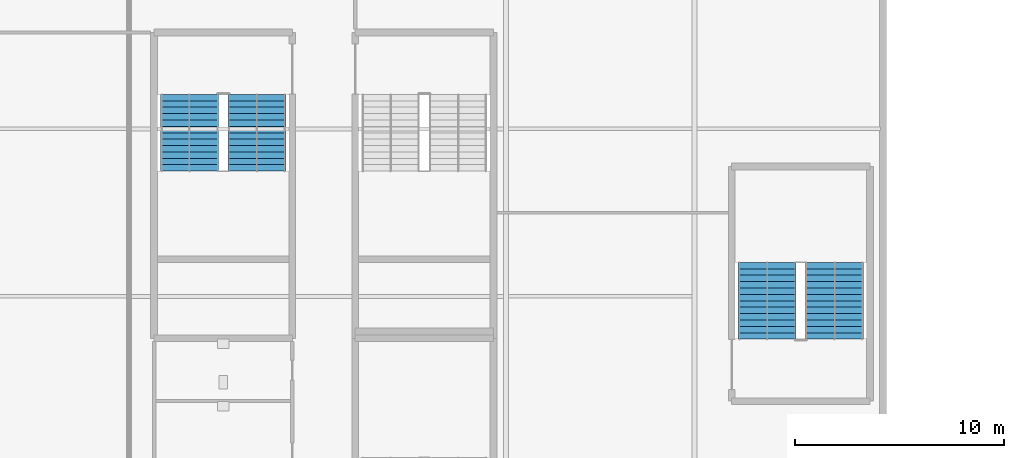
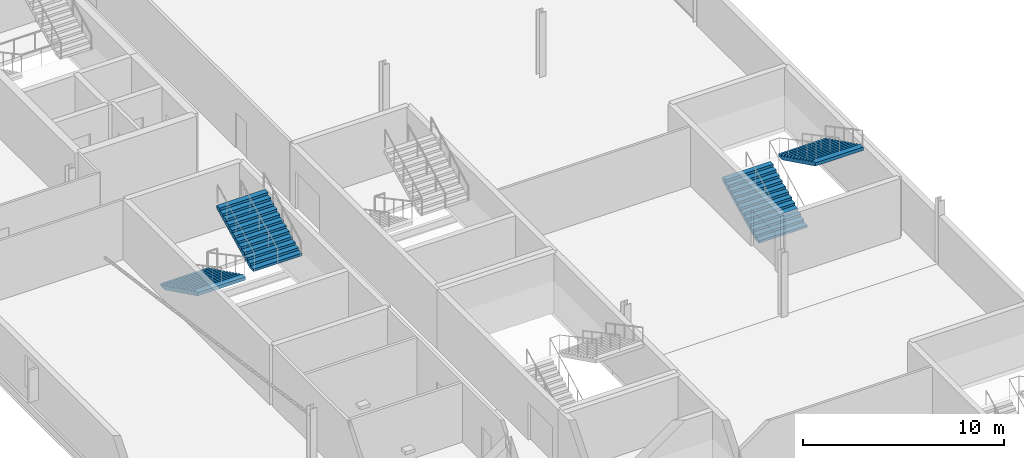
# One storey, part 84 of 98: 4 stair flights, 2 elements without a shape of their own.
"""IFC4 building model written with IfcOpenShell, lengths in metres."""

from ifc_helpers import new_model, si_unit, direction, frame, origin, place, context, subcontext, project, spatial, polygons, material, type_object, element, aggregate, save


model = new_model("IFC4")

# Units and contexts
model_context = context("Model", 3, precision=1e-05, world=origin(), true_north=direction((0.0, 1.0)))
body_context = subcontext(model_context, "Body", "Model", "MODEL_VIEW")
ifc_project = project(units=[si_unit("LENGTHUNIT", "METRE"), si_unit("AREAUNIT", "SQUARE_METRE"), si_unit("VOLUMEUNIT", "CUBIC_METRE"), si_unit("PLANEANGLEUNIT", "RADIAN"), si_unit("MASSUNIT", "GRAM", prefix="KILO")], contexts=[model_context])

# Site, building, storey
site_placement = place(None, origin())
site = spatial("IfcSite", under=ifc_project, at=site_placement, CompositionType="ELEMENT")
building_placement = place(site_placement, origin())
building = spatial("IfcBuilding", under=site, at=building_placement, Name="Kisiwana Market Hall", CompositionType="ELEMENT")
storey_placement = place(building_placement, frame((0.0, 0.0, 29.39990234375)))
storey = spatial("IfcBuildingStorey", under=building, at=storey_placement, Name="L06", CompositionType="ELEMENT", Elevation=29.39990234375)

# Stair, stair flights
ifc_material_1 = material(Name="Concrete C32/40", Category="concrete")
stair_type = type_object("IfcStairType", Name="ST-ESC-3900", PredefinedType="TWO_STRAIGHT_RUN_STAIR", material=ifc_material_1)
stair_1_placement = place(storey_placement, origin())
stair_1 = element("IfcStair", 1, at=stair_1_placement, inside=storey, type_object=stair_type, Name="Escape stair ST-W4-L06", PredefinedType="TWO_STRAIGHT_RUN_STAIR")
ifc_material_2 = material(Name="Concrete C32/40", Category="concrete")
stair_flight_type = type_object("IfcStairFlightType", Name="SF-ESC-3900", PredefinedType="STRAIGHT", material=ifc_material_2)
stair_flight_1_placement = place(storey_placement, frame((11.889892578125, 77.639892578125, 0.0), z_axis=(0.0, 0.0, 1.0), x_axis=(0.0, -1.0, 0.0)))
stair_flight_1 = element("IfcStairFlight", 2, at=stair_flight_1_placement, type_object=stair_flight_type, Name="ST-W4-L06 flight 1", NumberOfRisers=13, NumberOfTreads=12, PredefinedType="STRAIGHT", RiserHeight=0.15, TreadLength=0.305, context=body_context, shape_type="Tessellation", body=[
    polygons([(0.0, -1.380127, 0.0), (0.0, -0.690125, 0.0), (0.0, -0.000122, 0.0), (0.0, 0.68988, 0.0), (0.0, 1.379883, 0.0), (0.0, -1.380127, 0.149902), (0.0, -0.690125, 0.149902), (0.0, -0.000122, 0.149902), (0.0, 0.68988, 0.149902), (0.0, 1.379883, 0.149902), (0.304932, -1.380127, 0.149902), (0.304932, -0.690125, 0.149902), (0.304932, -0.000122, 0.149902), (0.304932, 0.68988, 0.149902), (0.304932, 1.379883, 0.149902), (0.304932, -1.380127, 0.300049), (0.304932, -0.690125, 0.300049), (0.304932, -0.000122, 0.300049), (0.304932, 0.68988, 0.300049), (0.304932, 1.379883, 0.300049), (0.610107, -1.380127, 0.300049), (0.610107, -0.690125, 0.300049), (0.610107, -0.000122, 0.300049), (0.610107, 0.68988, 0.300049), (0.610107, 1.379883, 0.300049), (0.610107, -1.380127, 0.449951), (0.610107, -0.690125, 0.449951), (0.610107, -0.000122, 0.449951), (0.610107, 0.68988, 0.449951), (0.610107, 1.379883, 0.449951), (0.915039, -1.380127, 0.449951), (0.915039, -0.690125, 0.449951), (0.915039, -0.000122, 0.449951), (0.915039, 0.68988, 0.449951), (0.915039, 1.379883, 0.449951), (0.915039, -1.380127, 0.600098), (0.915039, -0.690125, 0.600098), (0.915039, -0.000122, 0.600098), (0.915039, 0.68988, 0.600098), (0.915039, 1.379883, 0.600098), (1.219971, -1.380127, 0.600098), (1.219971, -0.690125, 0.600098), (1.219971, -0.000122, 0.600098), (1.219971, 0.68988, 0.600098), (1.219971, 1.379883, 0.600098), (1.219971, -1.380127, 0.75), (1.219971, -0.690125, 0.75), (1.219971, -0.000122, 0.75), (1.219971, 0.68988, 0.75), (1.219971, 1.379883, 0.75), (1.524902, -1.380127, 0.75), (1.524902, -0.690125, 0.75), (1.524902, -0.000122, 0.75), (1.524902, 0.68988, 0.75), (1.524902, 1.379883, 0.75), (1.524902, -1.380127, 0.899902), (1.524902, -0.690125, 0.899902), (1.524902, -0.000122, 0.899902), (1.524902, 0.68988, 0.899902), (1.524902, 1.379883, 0.899902), (1.830078, -1.380127, 0.899902), (1.830078, -0.690125, 0.899902), (1.830078, -0.000122, 0.899902), (1.830078, 0.68988, 0.899902), (1.830078, 1.379883, 0.899902), (1.830078, -1.380127, 1.050049), (1.830078, -0.690125, 1.050049), (1.830078, -0.000122, 1.050049), (1.830078, 0.68988, 1.050049), (1.830078, 1.379883, 1.050049), (2.13501, -1.380127, 1.050049), (2.13501, -0.690125, 1.050049), (2.13501, -0.000122, 1.050049), (2.13501, 0.68988, 1.050049), (2.13501, 1.379883, 1.050049), (2.13501, -1.380127, 1.199951), (2.13501, -0.690125, 1.199951), (2.13501, -0.000122, 1.199951), (2.13501, 0.68988, 1.199951), (2.13501, 1.379883, 1.199951), (2.439941, -1.380127, 1.199951), (2.439941, -0.690125, 1.199951), (2.439941, -0.000122, 1.199951), (2.439941, 0.68988, 1.199951), (2.439941, 1.379883, 1.199951), (2.439941, -1.380127, 1.350098), (2.439941, -0.690125, 1.350098), (2.439941, -0.000122, 1.350098), (2.439941, 0.68988, 1.350098), (2.439941, 1.379883, 1.350098), (2.745117, -1.380127, 1.350098), (2.745117, -0.690125, 1.350098), (2.745117, -0.000122, 1.350098), (2.745117, 0.68988, 1.350098), (2.745117, 1.379883, 1.350098), (2.745117, -1.380127, 1.5), (2.745117, -0.690125, 1.5), (2.745117, -0.000122, 1.5), (2.745117, 0.68988, 1.5), (2.745117, 1.379883, 1.5), (3.050049, -1.380127, 1.5), (3.050049, -0.690125, 1.5), (3.050049, -0.000122, 1.5), (3.050049, 0.68988, 1.5), (3.050049, 1.379883, 1.5), (3.050049, -1.380127, 1.649902), (3.050049, -0.690125, 1.649902), (3.050049, -0.000122, 1.649902), (3.050049, 0.68988, 1.649902), (3.050049, 1.379883, 1.649902), (3.35498, -1.380127, 1.649902), (3.35498, -0.690125, 1.649902), (3.35498, -0.000122, 1.649902), (3.35498, 0.68988, 1.649902), (3.35498, 1.379883, 1.649902), (3.35498, -1.380127, 1.800049), (3.35498, -0.690125, 1.800049), (3.35498, -0.000122, 1.800049), (3.35498, 0.68988, 1.800049), (3.35498, 1.379883, 1.800049), (3.659912, -1.380127, 1.800049), (3.659912, -0.690125, 1.800049), (3.659912, -0.000122, 1.800049), (3.659912, 0.68988, 1.800049), (3.659912, 1.379883, 1.800049), (3.659912, -1.380127, 1.599365), (3.659912, -0.690125, 1.599365), (3.659912, -0.000122, 1.599365), (3.659912, 0.68988, 1.599365), (3.659912, 1.379883, 1.599365), (0.407715, -1.380127, 0.0), (0.407715, -0.690125, 0.0), (0.407715, -0.000122, 0.0), (0.407715, 0.68988, 0.0), (0.407715, 1.379883, 0.0)], [[[1, 6, 7, 2]], [[2, 7, 8, 3]], [[3, 8, 9, 4]], [[4, 9, 10, 5]], [[6, 11, 12, 7]], [[7, 12, 13, 8]], [[8, 13, 14, 9]], [[9, 14, 15, 10]], [[11, 16, 17, 12]], [[12, 17, 18, 13]], [[13, 18, 19, 14]], [[14, 19, 20, 15]], [[16, 21, 22, 17]], [[17, 22, 23, 18]], [[18, 23, 24, 19]], [[19, 24, 25, 20]], [[21, 26, 27, 22]], [[22, 27, 28, 23]], [[23, 28, 29, 24]], [[24, 29, 30, 25]], [[26, 31, 32, 27]], [[27, 32, 33, 28]], [[28, 33, 34, 29]], [[29, 34, 35, 30]], [[31, 36, 37, 32]], [[32, 37, 38, 33]], [[33, 38, 39, 34]], [[34, 39, 40, 35]], [[36, 41, 42, 37]], [[37, 42, 43, 38]], [[38, 43, 44, 39]], [[39, 44, 45, 40]], [[41, 46, 47, 42]], [[42, 47, 48, 43]], [[43, 48, 49, 44]], [[44, 49, 50, 45]], [[46, 51, 52, 47]], [[47, 52, 53, 48]], [[48, 53, 54, 49]], [[49, 54, 55, 50]], [[51, 56, 57, 52]], [[52, 57, 58, 53]], [[53, 58, 59, 54]], [[54, 59, 60, 55]], [[56, 61, 62, 57]], [[57, 62, 63, 58]], [[58, 63, 64, 59]], [[59, 64, 65, 60]], [[61, 66, 67, 62]], [[62, 67, 68, 63]], [[63, 68, 69, 64]], [[64, 69, 70, 65]], [[66, 71, 72, 67]], [[67, 72, 73, 68]], [[68, 73, 74, 69]], [[69, 74, 75, 70]], [[71, 76, 77, 72]], [[72, 77, 78, 73]], [[73, 78, 79, 74]], [[74, 79, 80, 75]], [[76, 81, 82, 77]], [[77, 82, 83, 78]], [[78, 83, 84, 79]], [[79, 84, 85, 80]], [[81, 86, 87, 82]], [[82, 87, 88, 83]], [[83, 88, 89, 84]], [[84, 89, 90, 85]], [[86, 91, 92, 87]], [[87, 92, 93, 88]], [[88, 93, 94, 89]], [[89, 94, 95, 90]], [[91, 96, 97, 92]], [[92, 97, 98, 93]], [[93, 98, 99, 94]], [[94, 99, 100, 95]], [[96, 101, 102, 97]], [[97, 102, 103, 98]], [[98, 103, 104, 99]], [[99, 104, 105, 100]], [[101, 106, 107, 102]], [[102, 107, 108, 103]], [[103, 108, 109, 104]], [[104, 109, 110, 105]], [[106, 111, 112, 107]], [[107, 112, 113, 108]], [[108, 113, 114, 109]], [[109, 114, 115, 110]], [[111, 116, 117, 112]], [[112, 117, 118, 113]], [[113, 118, 119, 114]], [[114, 119, 120, 115]], [[116, 121, 122, 117]], [[117, 122, 123, 118]], [[118, 123, 124, 119]], [[119, 124, 125, 120]], [[121, 126, 127, 122]], [[122, 127, 128, 123]], [[123, 128, 129, 124]], [[124, 129, 130, 125]], [[126, 131, 132, 127]], [[127, 132, 133, 128]], [[128, 133, 134, 129]], [[129, 134, 135, 130]], [[131, 1, 2, 132]], [[132, 2, 3, 133]], [[133, 3, 4, 134]], [[134, 4, 5, 135]], [[131, 126, 121, 116, 111, 106, 101, 96, 91, 86, 81, 76, 71, 66, 61, 56, 51, 46, 41, 36, 31, 26, 21, 16, 11, 6, 1]], [[5, 10, 15, 20, 25, 30, 35, 40, 45, 50, 55, 60, 65, 70, 75, 80, 85, 90, 95, 100, 105, 110, 115, 120, 125, 130, 135]]], closed=True),
])
stair_flight_2_placement = place(storey_placement, frame((15.110107421875, 73.97998046875, 1.9501953125), z_axis=(0.0, 0.0, 1.0), x_axis=(0.0, 1.0, 0.0)))
stair_flight_2 = element("IfcStairFlight", 3, at=stair_flight_2_placement, type_object=stair_flight_type, Name="ST-W4-L06 flight 2", NumberOfRisers=13, NumberOfTreads=12, PredefinedType="STRAIGHT", RiserHeight=0.15, TreadLength=0.305, context=body_context, shape_type="Tessellation", body=[
    polygons([(0.0, -1.380127, 0.0), (0.0, -0.690125, 0.0), (0.0, -0.000122, 0.0), (0.0, 0.68988, 0.0), (0.0, 1.379883, 0.0), (0.0, -1.380127, 0.149902), (0.0, -0.690125, 0.149902), (0.0, -0.000122, 0.149902), (0.0, 0.68988, 0.149902), (0.0, 1.379883, 0.149902), (0.304932, -1.380127, 0.149902), (0.304932, -0.690125, 0.149902), (0.304932, -0.000122, 0.149902), (0.304932, 0.68988, 0.149902), (0.304932, 1.379883, 0.149902), (0.304932, -1.380127, 0.300049), (0.304932, -0.690125, 0.300049), (0.304932, -0.000122, 0.300049), (0.304932, 0.68988, 0.300049), (0.304932, 1.379883, 0.300049), (0.610107, -1.380127, 0.300049), (0.610107, -0.690125, 0.300049), (0.610107, -0.000122, 0.300049), (0.610107, 0.68988, 0.300049), (0.610107, 1.379883, 0.300049), (0.610107, -1.380127, 0.449951), (0.610107, -0.690125, 0.449951), (0.610107, -0.000122, 0.449951), (0.610107, 0.68988, 0.449951), (0.610107, 1.379883, 0.449951), (0.915039, -1.380127, 0.449951), (0.915039, -0.690125, 0.449951), (0.915039, -0.000122, 0.449951), (0.915039, 0.68988, 0.449951), (0.915039, 1.379883, 0.449951), (0.915039, -1.380127, 0.600098), (0.915039, -0.690125, 0.600098), (0.915039, -0.000122, 0.600098), (0.915039, 0.68988, 0.600098), (0.915039, 1.379883, 0.600098), (1.219971, -1.380127, 0.600098), (1.219971, -0.690125, 0.600098), (1.219971, -0.000122, 0.600098), (1.219971, 0.68988, 0.600098), (1.219971, 1.379883, 0.600098), (1.219971, -1.380127, 0.75), (1.219971, -0.690125, 0.75), (1.219971, -0.000122, 0.75), (1.219971, 0.68988, 0.75), (1.219971, 1.379883, 0.75), (1.524902, -1.380127, 0.75), (1.524902, -0.690125, 0.75), (1.524902, -0.000122, 0.75), (1.524902, 0.68988, 0.75), (1.524902, 1.379883, 0.75), (1.524902, -1.380127, 0.899902), (1.524902, -0.690125, 0.899902), (1.524902, -0.000122, 0.899902), (1.524902, 0.68988, 0.899902), (1.524902, 1.379883, 0.899902), (1.830078, -1.380127, 0.899902), (1.830078, -0.690125, 0.899902), (1.830078, -0.000122, 0.899902), (1.830078, 0.68988, 0.899902), (1.830078, 1.379883, 0.899902), (1.830078, -1.380127, 1.050049), (1.830078, -0.690125, 1.050049), (1.830078, -0.000122, 1.050049), (1.830078, 0.68988, 1.050049), (1.830078, 1.379883, 1.050049), (2.13501, -1.380127, 1.050049), (2.13501, -0.690125, 1.050049), (2.13501, -0.000122, 1.050049), (2.13501, 0.68988, 1.050049), (2.13501, 1.379883, 1.050049), (2.13501, -1.380127, 1.199951), (2.13501, -0.690125, 1.199951), (2.13501, -0.000122, 1.199951), (2.13501, 0.68988, 1.199951), (2.13501, 1.379883, 1.199951), (2.439941, -1.380127, 1.199951), (2.439941, -0.690125, 1.199951), (2.439941, -0.000122, 1.199951), (2.439941, 0.68988, 1.199951), (2.439941, 1.379883, 1.199951), (2.439941, -1.380127, 1.350098), (2.439941, -0.690125, 1.350098), (2.439941, -0.000122, 1.350098), (2.439941, 0.68988, 1.350098), (2.439941, 1.379883, 1.350098), (2.745117, -1.380127, 1.350098), (2.745117, -0.690125, 1.350098), (2.745117, -0.000122, 1.350098), (2.745117, 0.68988, 1.350098), (2.745117, 1.379883, 1.350098), (2.745117, -1.380127, 1.5), (2.745117, -0.690125, 1.5), (2.745117, -0.000122, 1.5), (2.745117, 0.68988, 1.5), (2.745117, 1.379883, 1.5), (3.050049, -1.380127, 1.5), (3.050049, -0.690125, 1.5), (3.050049, -0.000122, 1.5), (3.050049, 0.68988, 1.5), (3.050049, 1.379883, 1.5), (3.050049, -1.380127, 1.649902), (3.050049, -0.690125, 1.649902), (3.050049, -0.000122, 1.649902), (3.050049, 0.68988, 1.649902), (3.050049, 1.379883, 1.649902), (3.35498, -1.380127, 1.649902), (3.35498, -0.690125, 1.649902), (3.35498, -0.000122, 1.649902), (3.35498, 0.68988, 1.649902), (3.35498, 1.379883, 1.649902), (3.35498, -1.380127, 1.800049), (3.35498, -0.690125, 1.800049), (3.35498, -0.000122, 1.800049), (3.35498, 0.68988, 1.800049), (3.35498, 1.379883, 1.800049), (3.659912, -1.380127, 1.800049), (3.659912, -0.690125, 1.800049), (3.659912, -0.000122, 1.800049), (3.659912, 0.68988, 1.800049), (3.659912, 1.379883, 1.800049), (3.659912, -1.380127, 1.599365), (3.659912, -0.690125, 1.599365), (3.659912, -0.000122, 1.599365), (3.659912, 0.68988, 1.599365), (3.659912, 1.379883, 1.599365), (0.407715, -1.380127, 0.0), (0.407715, -0.690125, 0.0), (0.407715, -0.000122, 0.0), (0.407715, 0.68988, 0.0), (0.407715, 1.379883, 0.0)], [[[1, 6, 7, 2]], [[2, 7, 8, 3]], [[3, 8, 9, 4]], [[4, 9, 10, 5]], [[6, 11, 12, 7]], [[7, 12, 13, 8]], [[8, 13, 14, 9]], [[9, 14, 15, 10]], [[11, 16, 17, 12]], [[12, 17, 18, 13]], [[13, 18, 19, 14]], [[14, 19, 20, 15]], [[16, 21, 22, 17]], [[17, 22, 23, 18]], [[18, 23, 24, 19]], [[19, 24, 25, 20]], [[21, 26, 27, 22]], [[22, 27, 28, 23]], [[23, 28, 29, 24]], [[24, 29, 30, 25]], [[26, 31, 32, 27]], [[27, 32, 33, 28]], [[28, 33, 34, 29]], [[29, 34, 35, 30]], [[31, 36, 37, 32]], [[32, 37, 38, 33]], [[33, 38, 39, 34]], [[34, 39, 40, 35]], [[36, 41, 42, 37]], [[37, 42, 43, 38]], [[38, 43, 44, 39]], [[39, 44, 45, 40]], [[41, 46, 47, 42]], [[42, 47, 48, 43]], [[43, 48, 49, 44]], [[44, 49, 50, 45]], [[46, 51, 52, 47]], [[47, 52, 53, 48]], [[48, 53, 54, 49]], [[49, 54, 55, 50]], [[51, 56, 57, 52]], [[52, 57, 58, 53]], [[53, 58, 59, 54]], [[54, 59, 60, 55]], [[56, 61, 62, 57]], [[57, 62, 63, 58]], [[58, 63, 64, 59]], [[59, 64, 65, 60]], [[61, 66, 67, 62]], [[62, 67, 68, 63]], [[63, 68, 69, 64]], [[64, 69, 70, 65]], [[66, 71, 72, 67]], [[67, 72, 73, 68]], [[68, 73, 74, 69]], [[69, 74, 75, 70]], [[71, 76, 77, 72]], [[72, 77, 78, 73]], [[73, 78, 79, 74]], [[74, 79, 80, 75]], [[76, 81, 82, 77]], [[77, 82, 83, 78]], [[78, 83, 84, 79]], [[79, 84, 85, 80]], [[81, 86, 87, 82]], [[82, 87, 88, 83]], [[83, 88, 89, 84]], [[84, 89, 90, 85]], [[86, 91, 92, 87]], [[87, 92, 93, 88]], [[88, 93, 94, 89]], [[89, 94, 95, 90]], [[91, 96, 97, 92]], [[92, 97, 98, 93]], [[93, 98, 99, 94]], [[94, 99, 100, 95]], [[96, 101, 102, 97]], [[97, 102, 103, 98]], [[98, 103, 104, 99]], [[99, 104, 105, 100]], [[101, 106, 107, 102]], [[102, 107, 108, 103]], [[103, 108, 109, 104]], [[104, 109, 110, 105]], [[106, 111, 112, 107]], [[107, 112, 113, 108]], [[108, 113, 114, 109]], [[109, 114, 115, 110]], [[111, 116, 117, 112]], [[112, 117, 118, 113]], [[113, 118, 119, 114]], [[114, 119, 120, 115]], [[116, 121, 122, 117]], [[117, 122, 123, 118]], [[118, 123, 124, 119]], [[119, 124, 125, 120]], [[121, 126, 127, 122]], [[122, 127, 128, 123]], [[123, 128, 129, 124]], [[124, 129, 130, 125]], [[126, 131, 132, 127]], [[127, 132, 133, 128]], [[128, 133, 134, 129]], [[129, 134, 135, 130]], [[131, 1, 2, 132]], [[132, 2, 3, 133]], [[133, 3, 4, 134]], [[134, 4, 5, 135]], [[131, 126, 121, 116, 111, 106, 101, 96, 91, 86, 81, 76, 71, 66, 61, 56, 51, 46, 41, 36, 31, 26, 21, 16, 11, 6, 1]], [[5, 10, 15, 20, 25, 30, 35, 40, 45, 50, 55, 60, 65, 70, 75, 80, 85, 90, 95, 100, 105, 110, 115, 120, 125, 130, 135]]], closed=True),
])
aggregate(stair_1, [stair_flight_1, stair_flight_2])

stair_2_placement = place(storey_placement, origin())
stair_2 = element("IfcStair", 4, at=stair_2_placement, inside=storey, type_object=stair_type, Name="Escape stair ST-W10-L06", PredefinedType="TWO_STRAIGHT_RUN_STAIR")
stair_flight_3_placement = place(storey_placement, frame((39.4599609375, 65.9599609375, 0.0), z_axis=(0.0, 0.0, 1.0), x_axis=(0.0, 1.0, 0.0)))
stair_flight_3 = element("IfcStairFlight", 5, at=stair_flight_3_placement, type_object=stair_flight_type, Name="ST-W10-L06 flight 1", NumberOfRisers=13, NumberOfTreads=12, PredefinedType="STRAIGHT", RiserHeight=0.15, TreadLength=0.305, context=body_context, shape_type="Tessellation", body=[
    polygons([(0.0, -1.380127, 0.0), (0.0, -0.690125, 0.0), (0.0, -0.000122, 0.0), (0.0, 0.68988, 0.0), (0.0, 1.379883, 0.0), (0.0, -1.380127, 0.149902), (0.0, -0.690125, 0.149902), (0.0, -0.000122, 0.149902), (0.0, 0.68988, 0.149902), (0.0, 1.379883, 0.149902), (0.304932, -1.380127, 0.149902), (0.304932, -0.690125, 0.149902), (0.304932, -0.000122, 0.149902), (0.304932, 0.68988, 0.149902), (0.304932, 1.379883, 0.149902), (0.304932, -1.380127, 0.300049), (0.304932, -0.690125, 0.300049), (0.304932, -0.000122, 0.300049), (0.304932, 0.68988, 0.300049), (0.304932, 1.379883, 0.300049), (0.610107, -1.380127, 0.300049), (0.610107, -0.690125, 0.300049), (0.610107, -0.000122, 0.300049), (0.610107, 0.68988, 0.300049), (0.610107, 1.379883, 0.300049), (0.610107, -1.380127, 0.449951), (0.610107, -0.690125, 0.449951), (0.610107, -0.000122, 0.449951), (0.610107, 0.68988, 0.449951), (0.610107, 1.379883, 0.449951), (0.915039, -1.380127, 0.449951), (0.915039, -0.690125, 0.449951), (0.915039, -0.000122, 0.449951), (0.915039, 0.68988, 0.449951), (0.915039, 1.379883, 0.449951), (0.915039, -1.380127, 0.600098), (0.915039, -0.690125, 0.600098), (0.915039, -0.000122, 0.600098), (0.915039, 0.68988, 0.600098), (0.915039, 1.379883, 0.600098), (1.219971, -1.380127, 0.600098), (1.219971, -0.690125, 0.600098), (1.219971, -0.000122, 0.600098), (1.219971, 0.68988, 0.600098), (1.219971, 1.379883, 0.600098), (1.219971, -1.380127, 0.75), (1.219971, -0.690125, 0.75), (1.219971, -0.000122, 0.75), (1.219971, 0.68988, 0.75), (1.219971, 1.379883, 0.75), (1.524902, -1.380127, 0.75), (1.524902, -0.690125, 0.75), (1.524902, -0.000122, 0.75), (1.524902, 0.68988, 0.75), (1.524902, 1.379883, 0.75), (1.524902, -1.380127, 0.899902), (1.524902, -0.690125, 0.899902), (1.524902, -0.000122, 0.899902), (1.524902, 0.68988, 0.899902), (1.524902, 1.379883, 0.899902), (1.830078, -1.380127, 0.899902), (1.830078, -0.690125, 0.899902), (1.830078, -0.000122, 0.899902), (1.830078, 0.68988, 0.899902), (1.830078, 1.379883, 0.899902), (1.830078, -1.380127, 1.050049), (1.830078, -0.690125, 1.050049), (1.830078, -0.000122, 1.050049), (1.830078, 0.68988, 1.050049), (1.830078, 1.379883, 1.050049), (2.13501, -1.380127, 1.050049), (2.13501, -0.690125, 1.050049), (2.13501, -0.000122, 1.050049), (2.13501, 0.68988, 1.050049), (2.13501, 1.379883, 1.050049), (2.13501, -1.380127, 1.199951), (2.13501, -0.690125, 1.199951), (2.13501, -0.000122, 1.199951), (2.13501, 0.68988, 1.199951), (2.13501, 1.379883, 1.199951), (2.439941, -1.380127, 1.199951), (2.439941, -0.690125, 1.199951), (2.439941, -0.000122, 1.199951), (2.439941, 0.68988, 1.199951), (2.439941, 1.379883, 1.199951), (2.439941, -1.380127, 1.350098), (2.439941, -0.690125, 1.350098), (2.439941, -0.000122, 1.350098), (2.439941, 0.68988, 1.350098), (2.439941, 1.379883, 1.350098), (2.745117, -1.380127, 1.350098), (2.745117, -0.690125, 1.350098), (2.745117, -0.000122, 1.350098), (2.745117, 0.68988, 1.350098), (2.745117, 1.379883, 1.350098), (2.745117, -1.380127, 1.5), (2.745117, -0.690125, 1.5), (2.745117, -0.000122, 1.5), (2.745117, 0.68988, 1.5), (2.745117, 1.379883, 1.5), (3.050049, -1.380127, 1.5), (3.050049, -0.690125, 1.5), (3.050049, -0.000122, 1.5), (3.050049, 0.68988, 1.5), (3.050049, 1.379883, 1.5), (3.050049, -1.380127, 1.649902), (3.050049, -0.690125, 1.649902), (3.050049, -0.000122, 1.649902), (3.050049, 0.68988, 1.649902), (3.050049, 1.379883, 1.649902), (3.35498, -1.380127, 1.649902), (3.35498, -0.690125, 1.649902), (3.35498, -0.000122, 1.649902), (3.35498, 0.68988, 1.649902), (3.35498, 1.379883, 1.649902), (3.35498, -1.380127, 1.800049), (3.35498, -0.690125, 1.800049), (3.35498, -0.000122, 1.800049), (3.35498, 0.68988, 1.800049), (3.35498, 1.379883, 1.800049), (3.659912, -1.380127, 1.800049), (3.659912, -0.690125, 1.800049), (3.659912, -0.000122, 1.800049), (3.659912, 0.68988, 1.800049), (3.659912, 1.379883, 1.800049), (3.659912, -1.380127, 1.599365), (3.659912, -0.690125, 1.599365), (3.659912, -0.000122, 1.599365), (3.659912, 0.68988, 1.599365), (3.659912, 1.379883, 1.599365), (0.407715, -1.380127, 0.0), (0.407715, -0.690125, 0.0), (0.407715, -0.000122, 0.0), (0.407715, 0.68988, 0.0), (0.407715, 1.379883, 0.0)], [[[1, 6, 7, 2]], [[2, 7, 8, 3]], [[3, 8, 9, 4]], [[4, 9, 10, 5]], [[6, 11, 12, 7]], [[7, 12, 13, 8]], [[8, 13, 14, 9]], [[9, 14, 15, 10]], [[11, 16, 17, 12]], [[12, 17, 18, 13]], [[13, 18, 19, 14]], [[14, 19, 20, 15]], [[16, 21, 22, 17]], [[17, 22, 23, 18]], [[18, 23, 24, 19]], [[19, 24, 25, 20]], [[21, 26, 27, 22]], [[22, 27, 28, 23]], [[23, 28, 29, 24]], [[24, 29, 30, 25]], [[26, 31, 32, 27]], [[27, 32, 33, 28]], [[28, 33, 34, 29]], [[29, 34, 35, 30]], [[31, 36, 37, 32]], [[32, 37, 38, 33]], [[33, 38, 39, 34]], [[34, 39, 40, 35]], [[36, 41, 42, 37]], [[37, 42, 43, 38]], [[38, 43, 44, 39]], [[39, 44, 45, 40]], [[41, 46, 47, 42]], [[42, 47, 48, 43]], [[43, 48, 49, 44]], [[44, 49, 50, 45]], [[46, 51, 52, 47]], [[47, 52, 53, 48]], [[48, 53, 54, 49]], [[49, 54, 55, 50]], [[51, 56, 57, 52]], [[52, 57, 58, 53]], [[53, 58, 59, 54]], [[54, 59, 60, 55]], [[56, 61, 62, 57]], [[57, 62, 63, 58]], [[58, 63, 64, 59]], [[59, 64, 65, 60]], [[61, 66, 67, 62]], [[62, 67, 68, 63]], [[63, 68, 69, 64]], [[64, 69, 70, 65]], [[66, 71, 72, 67]], [[67, 72, 73, 68]], [[68, 73, 74, 69]], [[69, 74, 75, 70]], [[71, 76, 77, 72]], [[72, 77, 78, 73]], [[73, 78, 79, 74]], [[74, 79, 80, 75]], [[76, 81, 82, 77]], [[77, 82, 83, 78]], [[78, 83, 84, 79]], [[79, 84, 85, 80]], [[81, 86, 87, 82]], [[82, 87, 88, 83]], [[83, 88, 89, 84]], [[84, 89, 90, 85]], [[86, 91, 92, 87]], [[87, 92, 93, 88]], [[88, 93, 94, 89]], [[89, 94, 95, 90]], [[91, 96, 97, 92]], [[92, 97, 98, 93]], [[93, 98, 99, 94]], [[94, 99, 100, 95]], [[96, 101, 102, 97]], [[97, 102, 103, 98]], [[98, 103, 104, 99]], [[99, 104, 105, 100]], [[101, 106, 107, 102]], [[102, 107, 108, 103]], [[103, 108, 109, 104]], [[104, 109, 110, 105]], [[106, 111, 112, 107]], [[107, 112, 113, 108]], [[108, 113, 114, 109]], [[109, 114, 115, 110]], [[111, 116, 117, 112]], [[112, 117, 118, 113]], [[113, 118, 119, 114]], [[114, 119, 120, 115]], [[116, 121, 122, 117]], [[117, 122, 123, 118]], [[118, 123, 124, 119]], [[119, 124, 125, 120]], [[121, 126, 127, 122]], [[122, 127, 128, 123]], [[123, 128, 129, 124]], [[124, 129, 130, 125]], [[126, 131, 132, 127]], [[127, 132, 133, 128]], [[128, 133, 134, 129]], [[129, 134, 135, 130]], [[131, 1, 2, 132]], [[132, 2, 3, 133]], [[133, 3, 4, 134]], [[134, 4, 5, 135]], [[131, 126, 121, 116, 111, 106, 101, 96, 91, 86, 81, 76, 71, 66, 61, 56, 51, 46, 41, 36, 31, 26, 21, 16, 11, 6, 1]], [[5, 10, 15, 20, 25, 30, 35, 40, 45, 50, 55, 60, 65, 70, 75, 80, 85, 90, 95, 100, 105, 110, 115, 120, 125, 130, 135]]], closed=True),
])
stair_flight_4_placement = place(storey_placement, frame((42.679931640625, 69.6201171875, 1.9501953125), z_axis=(0.0, 0.0, 1.0), x_axis=(0.0, -1.0, 0.0)))
stair_flight_4 = element("IfcStairFlight", 6, at=stair_flight_4_placement, type_object=stair_flight_type, Name="ST-W10-L06 flight 2", NumberOfRisers=13, NumberOfTreads=12, PredefinedType="STRAIGHT", RiserHeight=0.15, TreadLength=0.305, context=body_context, shape_type="Tessellation", body=[
    polygons([(0.0, -1.380127, 0.0), (0.0, -0.690125, 0.0), (0.0, -0.000122, 0.0), (0.0, 0.68988, 0.0), (0.0, 1.379883, 0.0), (0.0, -1.380127, 0.149902), (0.0, -0.690125, 0.149902), (0.0, -0.000122, 0.149902), (0.0, 0.68988, 0.149902), (0.0, 1.379883, 0.149902), (0.304932, -1.380127, 0.149902), (0.304932, -0.690125, 0.149902), (0.304932, -0.000122, 0.149902), (0.304932, 0.68988, 0.149902), (0.304932, 1.379883, 0.149902), (0.304932, -1.380127, 0.300049), (0.304932, -0.690125, 0.300049), (0.304932, -0.000122, 0.300049), (0.304932, 0.68988, 0.300049), (0.304932, 1.379883, 0.300049), (0.610107, -1.380127, 0.300049), (0.610107, -0.690125, 0.300049), (0.610107, -0.000122, 0.300049), (0.610107, 0.68988, 0.300049), (0.610107, 1.379883, 0.300049), (0.610107, -1.380127, 0.449951), (0.610107, -0.690125, 0.449951), (0.610107, -0.000122, 0.449951), (0.610107, 0.68988, 0.449951), (0.610107, 1.379883, 0.449951), (0.915039, -1.380127, 0.449951), (0.915039, -0.690125, 0.449951), (0.915039, -0.000122, 0.449951), (0.915039, 0.68988, 0.449951), (0.915039, 1.379883, 0.449951), (0.915039, -1.380127, 0.600098), (0.915039, -0.690125, 0.600098), (0.915039, -0.000122, 0.600098), (0.915039, 0.68988, 0.600098), (0.915039, 1.379883, 0.600098), (1.219971, -1.380127, 0.600098), (1.219971, -0.690125, 0.600098), (1.219971, -0.000122, 0.600098), (1.219971, 0.68988, 0.600098), (1.219971, 1.379883, 0.600098), (1.219971, -1.380127, 0.75), (1.219971, -0.690125, 0.75), (1.219971, -0.000122, 0.75), (1.219971, 0.68988, 0.75), (1.219971, 1.379883, 0.75), (1.524902, -1.380127, 0.75), (1.524902, -0.690125, 0.75), (1.524902, -0.000122, 0.75), (1.524902, 0.68988, 0.75), (1.524902, 1.379883, 0.75), (1.524902, -1.380127, 0.899902), (1.524902, -0.690125, 0.899902), (1.524902, -0.000122, 0.899902), (1.524902, 0.68988, 0.899902), (1.524902, 1.379883, 0.899902), (1.830078, -1.380127, 0.899902), (1.830078, -0.690125, 0.899902), (1.830078, -0.000122, 0.899902), (1.830078, 0.68988, 0.899902), (1.830078, 1.379883, 0.899902), (1.830078, -1.380127, 1.050049), (1.830078, -0.690125, 1.050049), (1.830078, -0.000122, 1.050049), (1.830078, 0.68988, 1.050049), (1.830078, 1.379883, 1.050049), (2.13501, -1.380127, 1.050049), (2.13501, -0.690125, 1.050049), (2.13501, -0.000122, 1.050049), (2.13501, 0.68988, 1.050049), (2.13501, 1.379883, 1.050049), (2.13501, -1.380127, 1.199951), (2.13501, -0.690125, 1.199951), (2.13501, -0.000122, 1.199951), (2.13501, 0.68988, 1.199951), (2.13501, 1.379883, 1.199951), (2.439941, -1.380127, 1.199951), (2.439941, -0.690125, 1.199951), (2.439941, -0.000122, 1.199951), (2.439941, 0.68988, 1.199951), (2.439941, 1.379883, 1.199951), (2.439941, -1.380127, 1.350098), (2.439941, -0.690125, 1.350098), (2.439941, -0.000122, 1.350098), (2.439941, 0.68988, 1.350098), (2.439941, 1.379883, 1.350098), (2.745117, -1.380127, 1.350098), (2.745117, -0.690125, 1.350098), (2.745117, -0.000122, 1.350098), (2.745117, 0.68988, 1.350098), (2.745117, 1.379883, 1.350098), (2.745117, -1.380127, 1.5), (2.745117, -0.690125, 1.5), (2.745117, -0.000122, 1.5), (2.745117, 0.68988, 1.5), (2.745117, 1.379883, 1.5), (3.050049, -1.380127, 1.5), (3.050049, -0.690125, 1.5), (3.050049, -0.000122, 1.5), (3.050049, 0.68988, 1.5), (3.050049, 1.379883, 1.5), (3.050049, -1.380127, 1.649902), (3.050049, -0.690125, 1.649902), (3.050049, -0.000122, 1.649902), (3.050049, 0.68988, 1.649902), (3.050049, 1.379883, 1.649902), (3.35498, -1.380127, 1.649902), (3.35498, -0.690125, 1.649902), (3.35498, -0.000122, 1.649902), (3.35498, 0.68988, 1.649902), (3.35498, 1.379883, 1.649902), (3.35498, -1.380127, 1.800049), (3.35498, -0.690125, 1.800049), (3.35498, -0.000122, 1.800049), (3.35498, 0.68988, 1.800049), (3.35498, 1.379883, 1.800049), (3.659912, -1.380127, 1.800049), (3.659912, -0.690125, 1.800049), (3.659912, -0.000122, 1.800049), (3.659912, 0.68988, 1.800049), (3.659912, 1.379883, 1.800049), (3.659912, -1.380127, 1.599365), (3.659912, -0.690125, 1.599365), (3.659912, -0.000122, 1.599365), (3.659912, 0.68988, 1.599365), (3.659912, 1.379883, 1.599365), (0.407715, -1.380127, 0.0), (0.407715, -0.690125, 0.0), (0.407715, -0.000122, 0.0), (0.407715, 0.68988, 0.0), (0.407715, 1.379883, 0.0)], [[[1, 6, 7, 2]], [[2, 7, 8, 3]], [[3, 8, 9, 4]], [[4, 9, 10, 5]], [[6, 11, 12, 7]], [[7, 12, 13, 8]], [[8, 13, 14, 9]], [[9, 14, 15, 10]], [[11, 16, 17, 12]], [[12, 17, 18, 13]], [[13, 18, 19, 14]], [[14, 19, 20, 15]], [[16, 21, 22, 17]], [[17, 22, 23, 18]], [[18, 23, 24, 19]], [[19, 24, 25, 20]], [[21, 26, 27, 22]], [[22, 27, 28, 23]], [[23, 28, 29, 24]], [[24, 29, 30, 25]], [[26, 31, 32, 27]], [[27, 32, 33, 28]], [[28, 33, 34, 29]], [[29, 34, 35, 30]], [[31, 36, 37, 32]], [[32, 37, 38, 33]], [[33, 38, 39, 34]], [[34, 39, 40, 35]], [[36, 41, 42, 37]], [[37, 42, 43, 38]], [[38, 43, 44, 39]], [[39, 44, 45, 40]], [[41, 46, 47, 42]], [[42, 47, 48, 43]], [[43, 48, 49, 44]], [[44, 49, 50, 45]], [[46, 51, 52, 47]], [[47, 52, 53, 48]], [[48, 53, 54, 49]], [[49, 54, 55, 50]], [[51, 56, 57, 52]], [[52, 57, 58, 53]], [[53, 58, 59, 54]], [[54, 59, 60, 55]], [[56, 61, 62, 57]], [[57, 62, 63, 58]], [[58, 63, 64, 59]], [[59, 64, 65, 60]], [[61, 66, 67, 62]], [[62, 67, 68, 63]], [[63, 68, 69, 64]], [[64, 69, 70, 65]], [[66, 71, 72, 67]], [[67, 72, 73, 68]], [[68, 73, 74, 69]], [[69, 74, 75, 70]], [[71, 76, 77, 72]], [[72, 77, 78, 73]], [[73, 78, 79, 74]], [[74, 79, 80, 75]], [[76, 81, 82, 77]], [[77, 82, 83, 78]], [[78, 83, 84, 79]], [[79, 84, 85, 80]], [[81, 86, 87, 82]], [[82, 87, 88, 83]], [[83, 88, 89, 84]], [[84, 89, 90, 85]], [[86, 91, 92, 87]], [[87, 92, 93, 88]], [[88, 93, 94, 89]], [[89, 94, 95, 90]], [[91, 96, 97, 92]], [[92, 97, 98, 93]], [[93, 98, 99, 94]], [[94, 99, 100, 95]], [[96, 101, 102, 97]], [[97, 102, 103, 98]], [[98, 103, 104, 99]], [[99, 104, 105, 100]], [[101, 106, 107, 102]], [[102, 107, 108, 103]], [[103, 108, 109, 104]], [[104, 109, 110, 105]], [[106, 111, 112, 107]], [[107, 112, 113, 108]], [[108, 113, 114, 109]], [[109, 114, 115, 110]], [[111, 116, 117, 112]], [[112, 117, 118, 113]], [[113, 118, 119, 114]], [[114, 119, 120, 115]], [[116, 121, 122, 117]], [[117, 122, 123, 118]], [[118, 123, 124, 119]], [[119, 124, 125, 120]], [[121, 126, 127, 122]], [[122, 127, 128, 123]], [[123, 128, 129, 124]], [[124, 129, 130, 125]], [[126, 131, 132, 127]], [[127, 132, 133, 128]], [[128, 133, 134, 129]], [[129, 134, 135, 130]], [[131, 1, 2, 132]], [[132, 2, 3, 133]], [[133, 3, 4, 134]], [[134, 4, 5, 135]], [[131, 126, 121, 116, 111, 106, 101, 96, 91, 86, 81, 76, 71, 66, 61, 56, 51, 46, 41, 36, 31, 26, 21, 16, 11, 6, 1]], [[5, 10, 15, 20, 25, 30, 35, 40, 45, 50, 55, 60, 65, 70, 75, 80, 85, 90, 95, 100, 105, 110, 115, 120, 125, 130, 135]]], closed=True),
])
aggregate(stair_2, [stair_flight_3, stair_flight_4])

save(model, "model.ifc")
